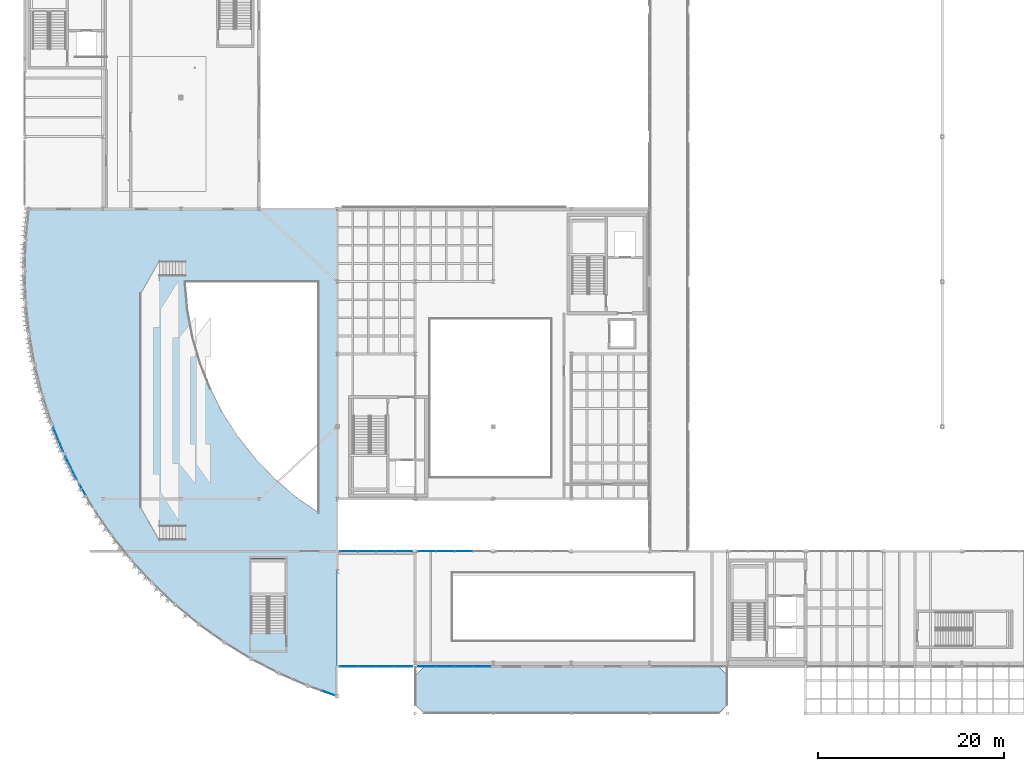
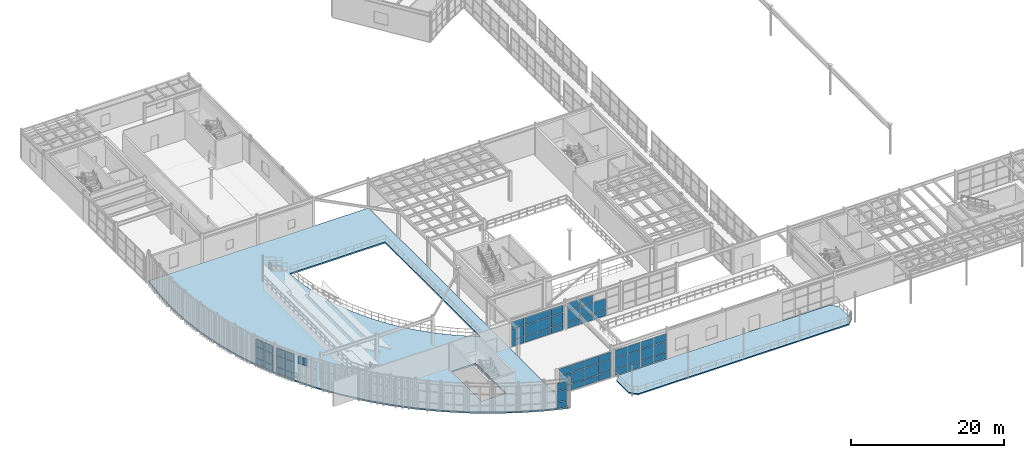
# One storey, part 81 of 116: 60 plates, 2 slabs, 8 elements without a shape of their own.
"""IFC4 building model written with IfcOpenShell, lengths in metres."""

from ifc_helpers import new_model, si_unit, direction, frame, origin, origin_2d, place, context, subcontext, project, spatial, polyline, rectangle, outline, extrude, material, layer, layer_set, type_object, element, aggregate, save


model = new_model("IFC4")

# Units and contexts
model_context = context("Model", 3, precision=1e-05, world=origin(), true_north=direction((0.0, 1.0)))
body_context = subcontext(model_context, "Body", "Model", "MODEL_VIEW")
ifc_project = project(units=[si_unit("LENGTHUNIT", "METRE"), si_unit("AREAUNIT", "SQUARE_METRE"), si_unit("VOLUMEUNIT", "CUBIC_METRE"), si_unit("PLANEANGLEUNIT", "RADIAN"), si_unit("MASSUNIT", "GRAM", prefix="KILO")], contexts=[model_context])

# Site, building, storey
site_placement = place(None, origin())
site = spatial("IfcSite", under=ifc_project, at=site_placement, CompositionType="ELEMENT")
building_placement = place(site_placement, origin())
building = spatial("IfcBuilding", under=site, at=building_placement, Name="Selat Folded Stagehouse", CompositionType="ELEMENT")
storey_placement = place(building_placement, frame((0.0, 0.0, 5.39990234375)))
storey = spatial("IfcBuildingStorey", under=building, at=storey_placement, Name="L01", CompositionType="ELEMENT", Elevation=5.39990234375)

# Curtain wall, plates
ifc_material_1 = material(Name="Aluminium 6063-T6", Category="aluminium")
ifc_layer_1 = layer(ifc_material_1, 0.195068359375)
ifc_layer_set_1 = layer_set([ifc_layer_1], Name="Aluminium 6063-T6")
curtain_wall_type_1 = type_object("IfcCurtainWallType", Name="CW-FYR-COURT", PredefinedType="NOTDEFINED", material=ifc_layer_set_1)
curtain_wall_1_placement = place(storey_placement, origin())
curtain_wall_1 = element("IfcCurtainWall", 1, at=curtain_wall_1_placement, inside=storey, type_object=curtain_wall_type_1, Name="L01 curtain wall CW-FYR-L01-07", PredefinedType="NOTDEFINED")
ifc_material_2 = material(Name="Clear laminated double glazing", Category="glass")
ifc_layer_2 = layer(ifc_material_2, 0.028076171875)
ifc_layer_set_2 = layer_set([ifc_layer_2], Name="Clear laminated double glazing")
plate_type_1 = type_object("IfcPlateType", Name="CWP-GLZ-DGU28", PredefinedType="CURTAIN_PANEL", material=ifc_layer_set_2)
plate_1_placement = place(storey_placement, frame((34.853759765625, 17.800048828125, 0.06494140625), z_axis=(0.0, 0.0, 1.0), x_axis=(1.0, 0.0, 0.0)))
plate_1 = element("IfcPlate", 2, at=plate_1_placement, type_object=plate_type_1, Name="CW-05 panel 1.1", PredefinedType="CURTAIN_PANEL", context=body_context, shape_type="SweptSolid", body=[
    extrude(rectangle(XDim=1.87744140625, YDim=0.028076171875, at=origin_2d()), origin(), (0.0, 0.0, 1.0), 0.952392578125),
])
plate_2_placement = place(storey_placement, frame((34.853759765625, 17.800048828125, 1.08251953125), z_axis=(0.0, 0.0, 1.0), x_axis=(1.0, 0.0, 0.0)))
plate_2 = element("IfcPlate", 3, at=plate_2_placement, type_object=plate_type_1, Name="CW-05 panel 1.2", PredefinedType="CURTAIN_PANEL", context=body_context, shape_type="SweptSolid", body=[
    extrude(rectangle(XDim=1.87744140625, YDim=0.028076171875, at=origin_2d()), origin(), (0.0, 0.0, 1.0), 1.735107421875),
])
plate_3_placement = place(storey_placement, frame((34.853759765625, 17.800048828125, 2.88232421875), z_axis=(0.0, 0.0, 1.0), x_axis=(1.0, 0.0, 0.0)))
plate_3 = element("IfcPlate", 4, at=plate_3_placement, type_object=plate_type_1, Name="CW-05 panel 1.3", PredefinedType="CURTAIN_PANEL", context=body_context, shape_type="SweptSolid", body=[
    extrude(rectangle(XDim=1.87744140625, YDim=0.028076171875, at=origin_2d()), origin(), (0.0, 0.0, 1.0), 1.172607421875),
])
plate_4_placement = place(storey_placement, frame((36.8125, 17.800048828125, 0.06494140625), z_axis=(0.0, 0.0, 1.0), x_axis=(1.0, 0.0, 0.0)))
plate_4 = element("IfcPlate", 5, at=plate_4_placement, type_object=plate_type_1, Name="CW-05 panel 2.1", PredefinedType="CURTAIN_PANEL", context=body_context, shape_type="SweptSolid", body=[
    extrude(rectangle(XDim=1.909912109375, YDim=0.028076171875, at=origin_2d()), origin(), (0.0, 0.0, 1.0), 0.952392578125),
])
plate_5_placement = place(storey_placement, frame((36.8125, 17.800048828125, 1.08251953125), z_axis=(0.0, 0.0, 1.0), x_axis=(1.0, 0.0, 0.0)))
plate_5 = element("IfcPlate", 6, at=plate_5_placement, type_object=plate_type_1, Name="CW-05 panel 2.2", PredefinedType="CURTAIN_PANEL", context=body_context, shape_type="SweptSolid", body=[
    extrude(rectangle(XDim=1.909912109375, YDim=0.028076171875, at=origin_2d()), origin(), (0.0, 0.0, 1.0), 1.735107421875),
])
plate_6_placement = place(storey_placement, frame((36.8125, 17.800048828125, 2.88232421875), z_axis=(0.0, 0.0, 1.0), x_axis=(1.0, 0.0, 0.0)))
plate_6 = element("IfcPlate", 7, at=plate_6_placement, type_object=plate_type_1, Name="CW-05 panel 2.3", PredefinedType="CURTAIN_PANEL", context=body_context, shape_type="SweptSolid", body=[
    extrude(rectangle(XDim=1.909912109375, YDim=0.028076171875, at=origin_2d()), origin(), (0.0, 0.0, 1.0), 1.172607421875),
])
plate_7_placement = place(storey_placement, frame((38.78759765625, 17.800048828125, 0.06494140625), z_axis=(0.0, 0.0, 1.0), x_axis=(1.0, 0.0, 0.0)))
plate_7 = element("IfcPlate", 8, at=plate_7_placement, type_object=plate_type_1, Name="CW-05 panel 3.1", PredefinedType="CURTAIN_PANEL", context=body_context, shape_type="SweptSolid", body=[
    extrude(rectangle(XDim=1.909912109375, YDim=0.028076171875, at=origin_2d()), origin(), (0.0, 0.0, 1.0), 0.952392578125),
])
plate_8_placement = place(storey_placement, frame((38.78759765625, 17.800048828125, 1.08251953125), z_axis=(0.0, 0.0, 1.0), x_axis=(1.0, 0.0, 0.0)))
plate_8 = element("IfcPlate", 9, at=plate_8_placement, type_object=plate_type_1, Name="CW-05 panel 3.2", PredefinedType="CURTAIN_PANEL", context=body_context, shape_type="SweptSolid", body=[
    extrude(rectangle(XDim=1.909912109375, YDim=0.028076171875, at=origin_2d()), origin(), (0.0, 0.0, 1.0), 1.735107421875),
])
plate_9_placement = place(storey_placement, frame((38.78759765625, 17.800048828125, 2.88232421875), z_axis=(0.0, 0.0, 1.0), x_axis=(1.0, 0.0, 0.0)))
plate_9 = element("IfcPlate", 10, at=plate_9_placement, type_object=plate_type_1, Name="CW-05 panel 3.3", PredefinedType="CURTAIN_PANEL", context=body_context, shape_type="SweptSolid", body=[
    extrude(rectangle(XDim=1.909912109375, YDim=0.028076171875, at=origin_2d()), origin(), (0.0, 0.0, 1.0), 1.172607421875),
])
plate_10_placement = place(storey_placement, frame((40.746337890625, 17.800048828125, 0.06494140625), z_axis=(0.0, 0.0, 1.0), x_axis=(1.0, 0.0, 0.0)))
plate_10 = element("IfcPlate", 11, at=plate_10_placement, type_object=plate_type_1, Name="CW-05 panel 4.1", PredefinedType="CURTAIN_PANEL", context=body_context, shape_type="SweptSolid", body=[
    extrude(rectangle(XDim=1.87744140625, YDim=0.028076171875, at=origin_2d()), origin(), (0.0, 0.0, 1.0), 0.952392578125),
])
plate_11_placement = place(storey_placement, frame((40.746337890625, 17.800048828125, 1.08251953125), z_axis=(0.0, 0.0, 1.0), x_axis=(1.0, 0.0, 0.0)))
plate_11 = element("IfcPlate", 12, at=plate_11_placement, type_object=plate_type_1, Name="CW-05 panel 4.2", PredefinedType="CURTAIN_PANEL", context=body_context, shape_type="SweptSolid", body=[
    extrude(rectangle(XDim=1.87744140625, YDim=0.028076171875, at=origin_2d()), origin(), (0.0, 0.0, 1.0), 1.735107421875),
])
plate_12_placement = place(storey_placement, frame((40.746337890625, 17.800048828125, 2.88232421875), z_axis=(0.0, 0.0, 1.0), x_axis=(1.0, 0.0, 0.0)))
plate_12 = element("IfcPlate", 13, at=plate_12_placement, type_object=plate_type_1, Name="CW-05 panel 4.3", PredefinedType="CURTAIN_PANEL", context=body_context, shape_type="SweptSolid", body=[
    extrude(rectangle(XDim=1.87744140625, YDim=0.028076171875, at=origin_2d()), origin(), (0.0, 0.0, 1.0), 1.172607421875),
])
aggregate(curtain_wall_1, [plate_1, plate_2, plate_3, plate_4, plate_5, plate_6, plate_7, plate_8, plate_9, plate_10, plate_11, plate_12])

curtain_wall_2_placement = place(storey_placement, origin())
curtain_wall_2 = element("IfcCurtainWall", 14, at=curtain_wall_2_placement, inside=storey, type_object=curtain_wall_type_1, Name="L01 curtain wall CW-FYR-L01-08", PredefinedType="NOTDEFINED")
plate_13_placement = place(storey_placement, frame((43.253662109375, 17.800048828125, 0.06494140625), z_axis=(0.0, 0.0, 1.0), x_axis=(1.0, 0.0, 0.0)))
plate_13 = element("IfcPlate", 15, at=plate_13_placement, type_object=plate_type_1, Name="CW-05 panel 1.1", PredefinedType="CURTAIN_PANEL", context=body_context, shape_type="SweptSolid", body=[
    extrude(rectangle(XDim=1.87744140625, YDim=0.028076171875, at=origin_2d()), origin(), (0.0, 0.0, 1.0), 0.952392578125),
])
plate_14_placement = place(storey_placement, frame((43.253662109375, 17.800048828125, 1.08251953125), z_axis=(0.0, 0.0, 1.0), x_axis=(1.0, 0.0, 0.0)))
plate_14 = element("IfcPlate", 16, at=plate_14_placement, type_object=plate_type_1, Name="CW-05 panel 1.2", PredefinedType="CURTAIN_PANEL", context=body_context, shape_type="SweptSolid", body=[
    extrude(rectangle(XDim=1.87744140625, YDim=0.028076171875, at=origin_2d()), origin(), (0.0, 0.0, 1.0), 1.735107421875),
])
plate_15_placement = place(storey_placement, frame((43.253662109375, 17.800048828125, 2.88232421875), z_axis=(0.0, 0.0, 1.0), x_axis=(1.0, 0.0, 0.0)))
plate_15 = element("IfcPlate", 17, at=plate_15_placement, type_object=plate_type_1, Name="CW-05 panel 1.3", PredefinedType="CURTAIN_PANEL", context=body_context, shape_type="SweptSolid", body=[
    extrude(rectangle(XDim=1.87744140625, YDim=0.028076171875, at=origin_2d()), origin(), (0.0, 0.0, 1.0), 1.172607421875),
])
plate_16_placement = place(storey_placement, frame((45.21240234375, 17.800048828125, 0.06494140625), z_axis=(0.0, 0.0, 1.0), x_axis=(1.0, 0.0, 0.0)))
plate_16 = element("IfcPlate", 18, at=plate_16_placement, type_object=plate_type_1, Name="CW-05 panel 2.1", PredefinedType="CURTAIN_PANEL", context=body_context, shape_type="SweptSolid", body=[
    extrude(rectangle(XDim=1.909912109375, YDim=0.028076171875, at=origin_2d()), origin(), (0.0, 0.0, 1.0), 0.952392578125),
])
plate_17_placement = place(storey_placement, frame((45.21240234375, 17.800048828125, 1.08251953125), z_axis=(0.0, 0.0, 1.0), x_axis=(1.0, 0.0, 0.0)))
plate_17 = element("IfcPlate", 19, at=plate_17_placement, type_object=plate_type_1, Name="CW-05 panel 2.2", PredefinedType="CURTAIN_PANEL", context=body_context, shape_type="SweptSolid", body=[
    extrude(rectangle(XDim=1.909912109375, YDim=0.028076171875, at=origin_2d()), origin(), (0.0, 0.0, 1.0), 1.735107421875),
])
plate_18_placement = place(storey_placement, frame((45.21240234375, 17.800048828125, 2.88232421875), z_axis=(0.0, 0.0, 1.0), x_axis=(1.0, 0.0, 0.0)))
plate_18 = element("IfcPlate", 20, at=plate_18_placement, type_object=plate_type_1, Name="CW-05 panel 2.3", PredefinedType="CURTAIN_PANEL", context=body_context, shape_type="SweptSolid", body=[
    extrude(rectangle(XDim=1.909912109375, YDim=0.028076171875, at=origin_2d()), origin(), (0.0, 0.0, 1.0), 1.172607421875),
])
plate_19_placement = place(storey_placement, frame((47.1875, 17.800048828125, 0.06494140625), z_axis=(0.0, 0.0, 1.0), x_axis=(1.0, 0.0, 0.0)))
plate_19 = element("IfcPlate", 21, at=plate_19_placement, type_object=plate_type_1, Name="CW-05 panel 3.1", PredefinedType="CURTAIN_PANEL", context=body_context, shape_type="SweptSolid", body=[
    extrude(rectangle(XDim=1.909912109375, YDim=0.028076171875, at=origin_2d()), origin(), (0.0, 0.0, 1.0), 0.952392578125),
])
plate_20_placement = place(storey_placement, frame((47.1875, 17.800048828125, 1.08251953125), z_axis=(0.0, 0.0, 1.0), x_axis=(1.0, 0.0, 0.0)))
plate_20 = element("IfcPlate", 22, at=plate_20_placement, type_object=plate_type_1, Name="CW-05 panel 3.2", PredefinedType="CURTAIN_PANEL", context=body_context, shape_type="SweptSolid", body=[
    extrude(rectangle(XDim=1.909912109375, YDim=0.028076171875, at=origin_2d()), origin(), (0.0, 0.0, 1.0), 1.735107421875),
])
aggregate(curtain_wall_2, [plate_13, plate_14, plate_15, plate_16, plate_17, plate_18, plate_19, plate_20])

ifc_layer_3 = layer(ifc_material_1, 0.199951171875)
ifc_layer_set_3 = layer_set([ifc_layer_3], Name="Aluminium 6063-T6")
curtain_wall_type_2 = type_object("IfcCurtainWallType", Name="CW-DRM-MID", PredefinedType="NOTDEFINED", material=ifc_layer_set_3)
curtain_wall_3_placement = place(storey_placement, origin())
curtain_wall_3 = element("IfcCurtainWall", 23, at=curtain_wall_3_placement, inside=storey, type_object=curtain_wall_type_2, Name="L01 curtain wall CW-DRM-L01-07", PredefinedType="NOTDEFINED")
ifc_material_3 = material(Name="Acoustic laminated double glazing", Category="glass")
ifc_layer_4 = layer(ifc_material_3, 0.035888671875)
ifc_layer_set_4 = layer_set([ifc_layer_4], Name="Acoustic laminated double glazing")
plate_type_2 = type_object("IfcPlateType", Name="CWP-GLZ-DGU36", PredefinedType="CURTAIN_PANEL", material=ifc_layer_set_4)
plate_21_placement = place(storey_placement, frame((3.870849609375, 29.177734375, 0.06982421875), z_axis=(0.0, 0.0, 1.0), x_axis=(-0.378890707813, 0.925441425231, 0.0)))
plate_21 = element("IfcPlate", 24, at=plate_21_placement, type_object=plate_type_2, Name="CW-02 panel 1.1", PredefinedType="CURTAIN_PANEL", context=body_context, shape_type="SweptSolid", body=[
    extrude(rectangle(XDim=1.329345703125, YDim=0.035888671875, at=origin_2d()), origin(), (0.0, 0.0, 1.0), 0.945068359375),
])
plate_22_placement = place(storey_placement, frame((3.870849609375, 29.177734375, 1.085205078125), z_axis=(0.0, 0.0, 1.0), x_axis=(-0.378890707813, 0.925441425231, 0.0)))
plate_22 = element("IfcPlate", 25, at=plate_22_placement, type_object=plate_type_2, Name="CW-02 panel 1.2", PredefinedType="CURTAIN_PANEL", context=body_context, shape_type="SweptSolid", body=[
    extrude(rectangle(XDim=1.329345703125, YDim=0.035888671875, at=origin_2d()), origin(), (0.0, 0.0, 1.0), 1.72998046875),
])
plate_23_placement = place(storey_placement, frame((3.870849609375, 29.177734375, 2.885009765625), z_axis=(0.0, 0.0, 1.0), x_axis=(-0.378890707813, 0.925441425231, 0.0)))
plate_23 = element("IfcPlate", 26, at=plate_23_placement, type_object=plate_type_2, Name="CW-02 panel 1.3", PredefinedType="CURTAIN_PANEL", context=body_context, shape_type="SweptSolid", body=[
    extrude(rectangle(XDim=1.329345703125, YDim=0.035888671875, at=origin_2d()), origin(), (0.0, 0.0, 1.0), 1.18505859375),
])
plate_24_placement = place(storey_placement, frame((3.340576171875, 30.472900390625, 0.06982421875), z_axis=(0.0, 0.0, 1.0), x_axis=(-0.378890707813, 0.925441425231, 0.0)))
plate_24 = element("IfcPlate", 27, at=plate_24_placement, type_object=plate_type_2, Name="CW-02 panel 2.1", PredefinedType="CURTAIN_PANEL", context=body_context, shape_type="SweptSolid", body=[
    extrude(rectangle(XDim=1.329345703125, YDim=0.035888671875, at=origin_2d()), origin(), (0.0, 0.0, 1.0), 0.945068359375),
])
plate_25_placement = place(storey_placement, frame((3.340576171875, 30.472900390625, 1.085205078125), z_axis=(0.0, 0.0, 1.0), x_axis=(-0.378890707813, 0.925441425231, 0.0)))
plate_25 = element("IfcPlate", 28, at=plate_25_placement, type_object=plate_type_2, Name="CW-02 panel 2.2", PredefinedType="CURTAIN_PANEL", context=body_context, shape_type="SweptSolid", body=[
    extrude(rectangle(XDim=1.329345703125, YDim=0.035888671875, at=origin_2d()), origin(), (0.0, 0.0, 1.0), 1.72998046875),
])
plate_26_placement = place(storey_placement, frame((3.340576171875, 30.472900390625, 2.885009765625), z_axis=(0.0, 0.0, 1.0), x_axis=(-0.378890707813, 0.925441425231, 0.0)))
plate_26 = element("IfcPlate", 29, at=plate_26_placement, type_object=plate_type_2, Name="CW-02 panel 2.3", PredefinedType="CURTAIN_PANEL", context=body_context, shape_type="SweptSolid", body=[
    extrude(rectangle(XDim=1.329345703125, YDim=0.035888671875, at=origin_2d()), origin(), (0.0, 0.0, 1.0), 1.18505859375),
])
aggregate(curtain_wall_3, [plate_21, plate_22, plate_23, plate_24, plate_25, plate_26])

curtain_wall_4_placement = place(storey_placement, origin())
curtain_wall_4 = element("IfcCurtainWall", 30, at=curtain_wall_4_placement, inside=storey, type_object=curtain_wall_type_2, Name="L01 curtain wall CW-DRM-L01-08", PredefinedType="NOTDEFINED")
plate_27_placement = place(storey_placement, frame((5.2998046875, 26.128662109375, 0.06982421875), z_axis=(0.0, 0.0, 1.0), x_axis=(-0.442844653705, 0.896598356392, 0.0)))
plate_27 = element("IfcPlate", 31, at=plate_27_placement, type_object=plate_type_2, Name="CW-02 panel 1.1", PredefinedType="CURTAIN_PANEL", context=body_context, shape_type="SweptSolid", body=[
    extrude(rectangle(XDim=1.32958984375, YDim=0.035888671875, at=origin_2d()), origin(), (0.0, 0.0, 1.0), 0.945068359375),
])
plate_28_placement = place(storey_placement, frame((5.2998046875, 26.128662109375, 1.085205078125), z_axis=(0.0, 0.0, 1.0), x_axis=(-0.442844653705, 0.896598356392, 0.0)))
plate_28 = element("IfcPlate", 32, at=plate_28_placement, type_object=plate_type_2, Name="CW-02 panel 1.2", PredefinedType="CURTAIN_PANEL", context=body_context, shape_type="SweptSolid", body=[
    extrude(rectangle(XDim=1.32958984375, YDim=0.035888671875, at=origin_2d()), origin(), (0.0, 0.0, 1.0), 1.72998046875),
])
plate_29_placement = place(storey_placement, frame((5.2998046875, 26.128662109375, 2.885009765625), z_axis=(0.0, 0.0, 1.0), x_axis=(-0.442844653705, 0.896598356392, 0.0)))
plate_29 = element("IfcPlate", 33, at=plate_29_placement, type_object=plate_type_2, Name="CW-02 panel 1.3", PredefinedType="CURTAIN_PANEL", context=body_context, shape_type="SweptSolid", body=[
    extrude(rectangle(XDim=1.32958984375, YDim=0.035888671875, at=origin_2d()), origin(), (0.0, 0.0, 1.0), 1.18505859375),
])
plate_30_placement = place(storey_placement, frame((4.68017578125, 27.383544921875, 0.06982421875), z_axis=(0.0, 0.0, 1.0), x_axis=(-0.442844653705, 0.896598356392, 0.0)))
plate_30 = element("IfcPlate", 34, at=plate_30_placement, type_object=plate_type_2, Name="CW-02 panel 2.1", PredefinedType="CURTAIN_PANEL", context=body_context, shape_type="SweptSolid", body=[
    extrude(rectangle(XDim=1.32958984375, YDim=0.035888671875, at=origin_2d()), origin(), (0.0, 0.0, 1.0), 0.945068359375),
])
plate_31_placement = place(storey_placement, frame((4.68017578125, 27.383544921875, 1.085205078125), z_axis=(0.0, 0.0, 1.0), x_axis=(-0.442844653705, 0.896598356392, 0.0)))
plate_31 = element("IfcPlate", 35, at=plate_31_placement, type_object=plate_type_2, Name="CW-02 panel 2.2", PredefinedType="CURTAIN_PANEL", context=body_context, shape_type="SweptSolid", body=[
    extrude(rectangle(XDim=1.32958984375, YDim=0.035888671875, at=origin_2d()), origin(), (0.0, 0.0, 1.0), 1.72998046875),
])
plate_32_placement = place(storey_placement, frame((4.68017578125, 27.383544921875, 2.885009765625), z_axis=(0.0, 0.0, 1.0), x_axis=(-0.442844653705, 0.896598356392, 0.0)))
plate_32 = element("IfcPlate", 36, at=plate_32_placement, type_object=plate_type_2, Name="CW-02 panel 2.3", PredefinedType="CURTAIN_PANEL", context=body_context, shape_type="SweptSolid", body=[
    extrude(rectangle(XDim=1.32958984375, YDim=0.035888671875, at=origin_2d()), origin(), (0.0, 0.0, 1.0), 1.18505859375),
])
aggregate(curtain_wall_4, [plate_27, plate_28, plate_29, plate_30, plate_31, plate_32])

# Curtain wall, plate
curtain_wall_5_placement = place(storey_placement, origin())
curtain_wall_5 = element("IfcCurtainWall", 37, at=curtain_wall_5_placement, inside=storey, type_object=curtain_wall_type_2, Name="L01 curtain wall CW-DRM-L01-09", PredefinedType="NOTDEFINED")
plate_33_placement = place(storey_placement, frame((6.23291015625, 24.3955078125, 2.885009765625), z_axis=(0.0, 0.0, 1.0), x_axis=(-0.504635839764, 0.863332305214, 0.0)))
plate_33 = element("IfcPlate", 38, at=plate_33_placement, type_object=plate_type_2, Name="CW-02 panel 2.3", PredefinedType="CURTAIN_PANEL", context=body_context, shape_type="SweptSolid", body=[
    extrude(rectangle(XDim=1.32958984375, YDim=0.035888671875, at=origin_2d()), origin(), (0.0, 0.0, 1.0), 1.18505859375),
])
aggregate(curtain_wall_5, [plate_33])

# Curtain wall, plates
curtain_wall_6_placement = place(storey_placement, origin())
curtain_wall_6 = element("IfcCurtainWall", 39, at=curtain_wall_6_placement, inside=storey, type_object=curtain_wall_type_2, Name="L01 curtain wall CW-DRM-L01-19", PredefinedType="NOTDEFINED")
plate_34_placement = place(storey_placement, frame((32.671630859375, 2.5390625, 0.06982421875), z_axis=(0.0, 0.0, 1.0), x_axis=(-0.942815824106, 0.333314148838, 0.0)))
plate_34 = element("IfcPlate", 40, at=plate_34_placement, type_object=plate_type_2, Name="CW-02 panel 1.1", PredefinedType="CURTAIN_PANEL", context=body_context, shape_type="SweptSolid", body=[
    extrude(rectangle(XDim=1.32958984375, YDim=0.035888671875, at=origin_2d()), origin(), (0.0, 0.0, 1.0), 0.945068359375),
])
plate_35_placement = place(storey_placement, frame((32.671630859375, 2.5390625, 1.085205078125), z_axis=(0.0, 0.0, 1.0), x_axis=(-0.942815824106, 0.333314148838, 0.0)))
plate_35 = element("IfcPlate", 41, at=plate_35_placement, type_object=plate_type_2, Name="CW-02 panel 1.2", PredefinedType="CURTAIN_PANEL", context=body_context, shape_type="SweptSolid", body=[
    extrude(rectangle(XDim=1.32958984375, YDim=0.035888671875, at=origin_2d()), origin(), (0.0, 0.0, 1.0), 1.72998046875),
])
plate_36_placement = place(storey_placement, frame((32.671630859375, 2.5390625, 2.885009765625), z_axis=(0.0, 0.0, 1.0), x_axis=(-0.942815824106, 0.333314148838, 0.0)))
plate_36 = element("IfcPlate", 42, at=plate_36_placement, type_object=plate_type_2, Name="CW-02 panel 1.3", PredefinedType="CURTAIN_PANEL", context=body_context, shape_type="SweptSolid", body=[
    extrude(rectangle(XDim=1.32958984375, YDim=0.035888671875, at=origin_2d()), origin(), (0.0, 0.0, 1.0), 1.18505859375),
])
aggregate(curtain_wall_6, [plate_34, plate_35, plate_36])

ifc_layer_5 = layer(ifc_material_1, 0.2099609375)
ifc_layer_set_5 = layer_set([ifc_layer_5], Name="Aluminium 6063-T6")
curtain_wall_type_3 = type_object("IfcCurtainWallType", Name="CW-FYR-SOUTH", PredefinedType="NOTDEFINED", material=ifc_layer_set_5)
curtain_wall_7_placement = place(storey_placement, origin())
curtain_wall_7 = element("IfcCurtainWall", 43, at=curtain_wall_7_placement, inside=storey, type_object=curtain_wall_type_3, Name="L01 curtain wall CW-FYR-L01-00", PredefinedType="NOTDEFINED")
plate_37_placement = place(storey_placement, frame((40.746337890625, 5.39990234375, 0.06494140625), z_axis=(0.0, 0.0, 1.0), x_axis=(-1.0, 0.0, 0.0)))
plate_37 = element("IfcPlate", 44, at=plate_37_placement, type_object=plate_type_2, Name="CW-04 panel 1.1", PredefinedType="CURTAIN_PANEL", context=body_context, shape_type="SweptSolid", body=[
    extrude(rectangle(XDim=1.87744140625, YDim=0.035888671875, at=origin_2d()), origin(), (0.0, 0.0, 1.0), 0.952392578125),
])
plate_38_placement = place(storey_placement, frame((40.746337890625, 5.39990234375, 1.08251953125), z_axis=(0.0, 0.0, 1.0), x_axis=(-1.0, 0.0, 0.0)))
plate_38 = element("IfcPlate", 45, at=plate_38_placement, type_object=plate_type_2, Name="CW-04 panel 1.2", PredefinedType="CURTAIN_PANEL", context=body_context, shape_type="SweptSolid", body=[
    extrude(rectangle(XDim=1.87744140625, YDim=0.035888671875, at=origin_2d()), origin(), (0.0, 0.0, 1.0), 1.735107421875),
])
plate_39_placement = place(storey_placement, frame((40.746337890625, 5.39990234375, 2.88232421875), z_axis=(0.0, 0.0, 1.0), x_axis=(-1.0, 0.0, 0.0)))
plate_39 = element("IfcPlate", 46, at=plate_39_placement, type_object=plate_type_2, Name="CW-04 panel 1.3", PredefinedType="CURTAIN_PANEL", context=body_context, shape_type="SweptSolid", body=[
    extrude(rectangle(XDim=1.87744140625, YDim=0.035888671875, at=origin_2d()), origin(), (0.0, 0.0, 1.0), 1.172607421875),
])
plate_40_placement = place(storey_placement, frame((38.78759765625, 5.39990234375, 0.06494140625), z_axis=(0.0, 0.0, 1.0), x_axis=(-1.0, 0.0, 0.0)))
plate_40 = element("IfcPlate", 47, at=plate_40_placement, type_object=plate_type_2, Name="CW-04 panel 2.1", PredefinedType="CURTAIN_PANEL", context=body_context, shape_type="SweptSolid", body=[
    extrude(rectangle(XDim=1.909912109375, YDim=0.035888671875, at=origin_2d()), origin(), (0.0, 0.0, 1.0), 0.952392578125),
])
plate_41_placement = place(storey_placement, frame((38.78759765625, 5.39990234375, 1.08251953125), z_axis=(0.0, 0.0, 1.0), x_axis=(-1.0, 0.0, 0.0)))
plate_41 = element("IfcPlate", 48, at=plate_41_placement, type_object=plate_type_2, Name="CW-04 panel 2.2", PredefinedType="CURTAIN_PANEL", context=body_context, shape_type="SweptSolid", body=[
    extrude(rectangle(XDim=1.909912109375, YDim=0.035888671875, at=origin_2d()), origin(), (0.0, 0.0, 1.0), 1.735107421875),
])
plate_42_placement = place(storey_placement, frame((38.78759765625, 5.39990234375, 2.88232421875), z_axis=(0.0, 0.0, 1.0), x_axis=(-1.0, 0.0, 0.0)))
plate_42 = element("IfcPlate", 49, at=plate_42_placement, type_object=plate_type_2, Name="CW-04 panel 2.3", PredefinedType="CURTAIN_PANEL", context=body_context, shape_type="SweptSolid", body=[
    extrude(rectangle(XDim=1.909912109375, YDim=0.035888671875, at=origin_2d()), origin(), (0.0, 0.0, 1.0), 1.172607421875),
])
plate_43_placement = place(storey_placement, frame((36.8125, 5.39990234375, 0.06494140625), z_axis=(0.0, 0.0, 1.0), x_axis=(-1.0, 0.0, 0.0)))
plate_43 = element("IfcPlate", 50, at=plate_43_placement, type_object=plate_type_2, Name="CW-04 panel 3.1", PredefinedType="CURTAIN_PANEL", context=body_context, shape_type="SweptSolid", body=[
    extrude(rectangle(XDim=1.909912109375, YDim=0.035888671875, at=origin_2d()), origin(), (0.0, 0.0, 1.0), 0.952392578125),
])
plate_44_placement = place(storey_placement, frame((36.8125, 5.39990234375, 1.08251953125), z_axis=(0.0, 0.0, 1.0), x_axis=(-1.0, 0.0, 0.0)))
plate_44 = element("IfcPlate", 51, at=plate_44_placement, type_object=plate_type_2, Name="CW-04 panel 3.2", PredefinedType="CURTAIN_PANEL", context=body_context, shape_type="SweptSolid", body=[
    extrude(rectangle(XDim=1.909912109375, YDim=0.035888671875, at=origin_2d()), origin(), (0.0, 0.0, 1.0), 1.735107421875),
])
plate_45_placement = place(storey_placement, frame((36.8125, 5.39990234375, 2.88232421875), z_axis=(0.0, 0.0, 1.0), x_axis=(-1.0, 0.0, 0.0)))
plate_45 = element("IfcPlate", 52, at=plate_45_placement, type_object=plate_type_2, Name="CW-04 panel 3.3", PredefinedType="CURTAIN_PANEL", context=body_context, shape_type="SweptSolid", body=[
    extrude(rectangle(XDim=1.909912109375, YDim=0.035888671875, at=origin_2d()), origin(), (0.0, 0.0, 1.0), 1.172607421875),
])
plate_46_placement = place(storey_placement, frame((34.853759765625, 5.39990234375, 0.06494140625), z_axis=(0.0, 0.0, 1.0), x_axis=(-1.0, 0.0, 0.0)))
plate_46 = element("IfcPlate", 53, at=plate_46_placement, type_object=plate_type_2, Name="CW-04 panel 4.1", PredefinedType="CURTAIN_PANEL", context=body_context, shape_type="SweptSolid", body=[
    extrude(rectangle(XDim=1.87744140625, YDim=0.035888671875, at=origin_2d()), origin(), (0.0, 0.0, 1.0), 0.952392578125),
])
plate_47_placement = place(storey_placement, frame((34.853759765625, 5.39990234375, 1.08251953125), z_axis=(0.0, 0.0, 1.0), x_axis=(-1.0, 0.0, 0.0)))
plate_47 = element("IfcPlate", 54, at=plate_47_placement, type_object=plate_type_2, Name="CW-04 panel 4.2", PredefinedType="CURTAIN_PANEL", context=body_context, shape_type="SweptSolid", body=[
    extrude(rectangle(XDim=1.87744140625, YDim=0.035888671875, at=origin_2d()), origin(), (0.0, 0.0, 1.0), 1.735107421875),
])
plate_48_placement = place(storey_placement, frame((34.853759765625, 5.39990234375, 2.88232421875), z_axis=(0.0, 0.0, 1.0), x_axis=(-1.0, 0.0, 0.0)))
plate_48 = element("IfcPlate", 55, at=plate_48_placement, type_object=plate_type_2, Name="CW-04 panel 4.3", PredefinedType="CURTAIN_PANEL", context=body_context, shape_type="SweptSolid", body=[
    extrude(rectangle(XDim=1.87744140625, YDim=0.035888671875, at=origin_2d()), origin(), (0.0, 0.0, 1.0), 1.172607421875),
])
aggregate(curtain_wall_7, [plate_37, plate_38, plate_39, plate_40, plate_41, plate_42, plate_43, plate_44, plate_45, plate_46, plate_47, plate_48])

curtain_wall_8_placement = place(storey_placement, origin())
curtain_wall_8 = element("IfcCurtainWall", 56, at=curtain_wall_8_placement, inside=storey, type_object=curtain_wall_type_3, Name="L01 curtain wall CW-FYR-L01-01", PredefinedType="NOTDEFINED")
plate_49_placement = place(storey_placement, frame((49.146240234375, 5.39990234375, 0.06494140625), z_axis=(0.0, 0.0, 1.0), x_axis=(-1.0, 0.0, 0.0)))
plate_49 = element("IfcPlate", 57, at=plate_49_placement, type_object=plate_type_2, Name="CW-04 panel 1.1", PredefinedType="CURTAIN_PANEL", context=body_context, shape_type="SweptSolid", body=[
    extrude(rectangle(XDim=1.87744140625, YDim=0.035888671875, at=origin_2d()), origin(), (0.0, 0.0, 1.0), 0.952392578125),
])
plate_50_placement = place(storey_placement, frame((49.146240234375, 5.39990234375, 1.08251953125), z_axis=(0.0, 0.0, 1.0), x_axis=(-1.0, 0.0, 0.0)))
plate_50 = element("IfcPlate", 58, at=plate_50_placement, type_object=plate_type_2, Name="CW-04 panel 1.2", PredefinedType="CURTAIN_PANEL", context=body_context, shape_type="SweptSolid", body=[
    extrude(rectangle(XDim=1.87744140625, YDim=0.035888671875, at=origin_2d()), origin(), (0.0, 0.0, 1.0), 1.735107421875),
])
plate_51_placement = place(storey_placement, frame((49.146240234375, 5.39990234375, 2.88232421875), z_axis=(0.0, 0.0, 1.0), x_axis=(-1.0, 0.0, 0.0)))
plate_51 = element("IfcPlate", 59, at=plate_51_placement, type_object=plate_type_2, Name="CW-04 panel 1.3", PredefinedType="CURTAIN_PANEL", context=body_context, shape_type="SweptSolid", body=[
    extrude(rectangle(XDim=1.87744140625, YDim=0.035888671875, at=origin_2d()), origin(), (0.0, 0.0, 1.0), 1.172607421875),
])
plate_52_placement = place(storey_placement, frame((47.1875, 5.39990234375, 0.06494140625), z_axis=(0.0, 0.0, 1.0), x_axis=(-1.0, 0.0, 0.0)))
plate_52 = element("IfcPlate", 60, at=plate_52_placement, type_object=plate_type_2, Name="CW-04 panel 2.1", PredefinedType="CURTAIN_PANEL", context=body_context, shape_type="SweptSolid", body=[
    extrude(rectangle(XDim=1.909912109375, YDim=0.035888671875, at=origin_2d()), origin(), (0.0, 0.0, 1.0), 0.952392578125),
])
plate_53_placement = place(storey_placement, frame((47.1875, 5.39990234375, 1.08251953125), z_axis=(0.0, 0.0, 1.0), x_axis=(-1.0, 0.0, 0.0)))
plate_53 = element("IfcPlate", 61, at=plate_53_placement, type_object=plate_type_2, Name="CW-04 panel 2.2", PredefinedType="CURTAIN_PANEL", context=body_context, shape_type="SweptSolid", body=[
    extrude(rectangle(XDim=1.909912109375, YDim=0.035888671875, at=origin_2d()), origin(), (0.0, 0.0, 1.0), 1.735107421875),
])
plate_54_placement = place(storey_placement, frame((47.1875, 5.39990234375, 2.88232421875), z_axis=(0.0, 0.0, 1.0), x_axis=(-1.0, 0.0, 0.0)))
plate_54 = element("IfcPlate", 62, at=plate_54_placement, type_object=plate_type_2, Name="CW-04 panel 2.3", PredefinedType="CURTAIN_PANEL", context=body_context, shape_type="SweptSolid", body=[
    extrude(rectangle(XDim=1.909912109375, YDim=0.035888671875, at=origin_2d()), origin(), (0.0, 0.0, 1.0), 1.172607421875),
])
plate_55_placement = place(storey_placement, frame((45.21240234375, 5.39990234375, 0.06494140625), z_axis=(0.0, 0.0, 1.0), x_axis=(-1.0, 0.0, 0.0)))
plate_55 = element("IfcPlate", 63, at=plate_55_placement, type_object=plate_type_2, Name="CW-04 panel 3.1", PredefinedType="CURTAIN_PANEL", context=body_context, shape_type="SweptSolid", body=[
    extrude(rectangle(XDim=1.909912109375, YDim=0.035888671875, at=origin_2d()), origin(), (0.0, 0.0, 1.0), 0.952392578125),
])
plate_56_placement = place(storey_placement, frame((45.21240234375, 5.39990234375, 1.08251953125), z_axis=(0.0, 0.0, 1.0), x_axis=(-1.0, 0.0, 0.0)))
plate_56 = element("IfcPlate", 64, at=plate_56_placement, type_object=plate_type_2, Name="CW-04 panel 3.2", PredefinedType="CURTAIN_PANEL", context=body_context, shape_type="SweptSolid", body=[
    extrude(rectangle(XDim=1.909912109375, YDim=0.035888671875, at=origin_2d()), origin(), (0.0, 0.0, 1.0), 1.735107421875),
])
plate_57_placement = place(storey_placement, frame((45.21240234375, 5.39990234375, 2.88232421875), z_axis=(0.0, 0.0, 1.0), x_axis=(-1.0, 0.0, 0.0)))
plate_57 = element("IfcPlate", 65, at=plate_57_placement, type_object=plate_type_2, Name="CW-04 panel 3.3", PredefinedType="CURTAIN_PANEL", context=body_context, shape_type="SweptSolid", body=[
    extrude(rectangle(XDim=1.909912109375, YDim=0.035888671875, at=origin_2d()), origin(), (0.0, 0.0, 1.0), 1.172607421875),
])
plate_58_placement = place(storey_placement, frame((43.253662109375, 5.39990234375, 0.06494140625), z_axis=(0.0, 0.0, 1.0), x_axis=(-1.0, 0.0, 0.0)))
plate_58 = element("IfcPlate", 66, at=plate_58_placement, type_object=plate_type_2, Name="CW-04 panel 4.1", PredefinedType="CURTAIN_PANEL", context=body_context, shape_type="SweptSolid", body=[
    extrude(rectangle(XDim=1.87744140625, YDim=0.035888671875, at=origin_2d()), origin(), (0.0, 0.0, 1.0), 0.952392578125),
])
plate_59_placement = place(storey_placement, frame((43.253662109375, 5.39990234375, 1.08251953125), z_axis=(0.0, 0.0, 1.0), x_axis=(-1.0, 0.0, 0.0)))
plate_59 = element("IfcPlate", 67, at=plate_59_placement, type_object=plate_type_2, Name="CW-04 panel 4.2", PredefinedType="CURTAIN_PANEL", context=body_context, shape_type="SweptSolid", body=[
    extrude(rectangle(XDim=1.87744140625, YDim=0.035888671875, at=origin_2d()), origin(), (0.0, 0.0, 1.0), 1.735107421875),
])
plate_60_placement = place(storey_placement, frame((43.253662109375, 5.39990234375, 2.88232421875), z_axis=(0.0, 0.0, 1.0), x_axis=(-1.0, 0.0, 0.0)))
plate_60 = element("IfcPlate", 68, at=plate_60_placement, type_object=plate_type_2, Name="CW-04 panel 4.3", PredefinedType="CURTAIN_PANEL", context=body_context, shape_type="SweptSolid", body=[
    extrude(rectangle(XDim=1.87744140625, YDim=0.035888671875, at=origin_2d()), origin(), (0.0, 0.0, 1.0), 1.172607421875),
])
aggregate(curtain_wall_8, [plate_49, plate_50, plate_51, plate_52, plate_53, plate_54, plate_55, plate_56, plate_57, plate_58, plate_59, plate_60])

# Slabs
ifc_material_4 = material(Name="Concrete C40/50", Category="concrete")
ifc_layer_6 = layer(ifc_material_4, 0.219970703125)
ifc_layer_set_6 = layer_set([ifc_layer_6], Name="Concrete C40/50")
slab_type_1 = type_object("IfcSlabType", Name="SLAB-FLR-220", PredefinedType="FLOOR", material=ifc_layer_set_6)
slab_1_placement = place(storey_placement, frame((0.0, 0.0, -0.219970703125)))
element("IfcSlab", 69, at=slab_1_placement, inside=storey, type_object=slab_type_1, Name="L01 V1 floor slab SL-L01-V1", PredefinedType="FLOOR", context=body_context, shape_type="SweptSolid", body=[
    extrude(outline(polyline([(0.455810546875, 54.60009765625), (0.110107421875, 51.248779296875), (0.0, 47.881591796875), (0.126708984375, 44.514892578125), (0.489013671875, 41.16552734375), (1.08544921875, 37.849609375), (1.9130859375, 34.583984375), (2.967529296875, 31.38427734375), (4.243896484375, 28.266357421875), (5.736083984375, 25.24560546875), (7.436279296875, 22.337158203125), (9.336181640625, 19.55517578125), (11.4267578125, 16.9130859375), (13.697509765625, 14.42431640625), (16.136962890625, 12.100830078125), (18.733642578125, 9.954345703125), (21.474365234375, 7.9951171875), (24.345703125, 6.23291015625), (27.333740234375, 4.6767578125), (30.423583984375, 3.333740234375), (33.60009765625, 2.2109375), (33.60009765625, 54.60009765625), (0.455810546875, 54.60009765625)]), holes=[polyline([(28.0400390625, 9.10009765625), (24.360107421875, 9.10009765625), (24.360107421875, 16.97998046875), (28.0400390625, 16.97998046875), (28.0400390625, 9.10009765625)]), polyline([(31.60009765625, 21.92919921875), (29.1513671875, 23.640869140625), (26.880126953125, 25.581298828125), (24.8076171875, 27.73291015625), (22.953369140625, 30.0751953125), (21.334716796875, 32.5859375), (19.966796875, 35.24169921875), (18.862548828125, 38.017578125), (18.032470703125, 40.887451171875), (17.484375, 43.823974609375), (17.223388671875, 46.800048828125), (31.60009765625, 46.800048828125), (31.60009765625, 21.92919921875)])]), origin(), (0.0, 0.0, 1.0), 0.219970703125),
])
ifc_layer_7 = layer(ifc_material_4, 0.18994140625)
ifc_layer_set_7 = layer_set([ifc_layer_7], Name="Concrete C40/50")
slab_type_2 = type_object("IfcSlabType", Name="SLAB-TERR-190", PredefinedType="FLOOR", material=ifc_layer_set_7)
slab_2_placement = place(storey_placement, frame((0.0, 0.0, -0.18994140625)))
element("IfcSlab", 70, at=slab_2_placement, inside=storey, type_object=slab_type_2, Name="L01 V5 floor slab SL-L01-TERR", PredefinedType="FLOOR", context=body_context, shape_type="SweptSolid", body=[
    extrude(outline(polyline([(42.89990234375, 0.35009765625), (74.699951171875, 0.35009765625), (75.60009765625, 1.25), (75.60009765625, 4.43994140625), (74.699951171875, 5.340087890625), (42.89990234375, 5.340087890625), (42.0, 4.43994140625), (42.0, 1.25), (42.89990234375, 0.35009765625)])), origin(), (0.0, 0.0, 1.0), 0.18994140625),
])

save(model, "model.ifc")
